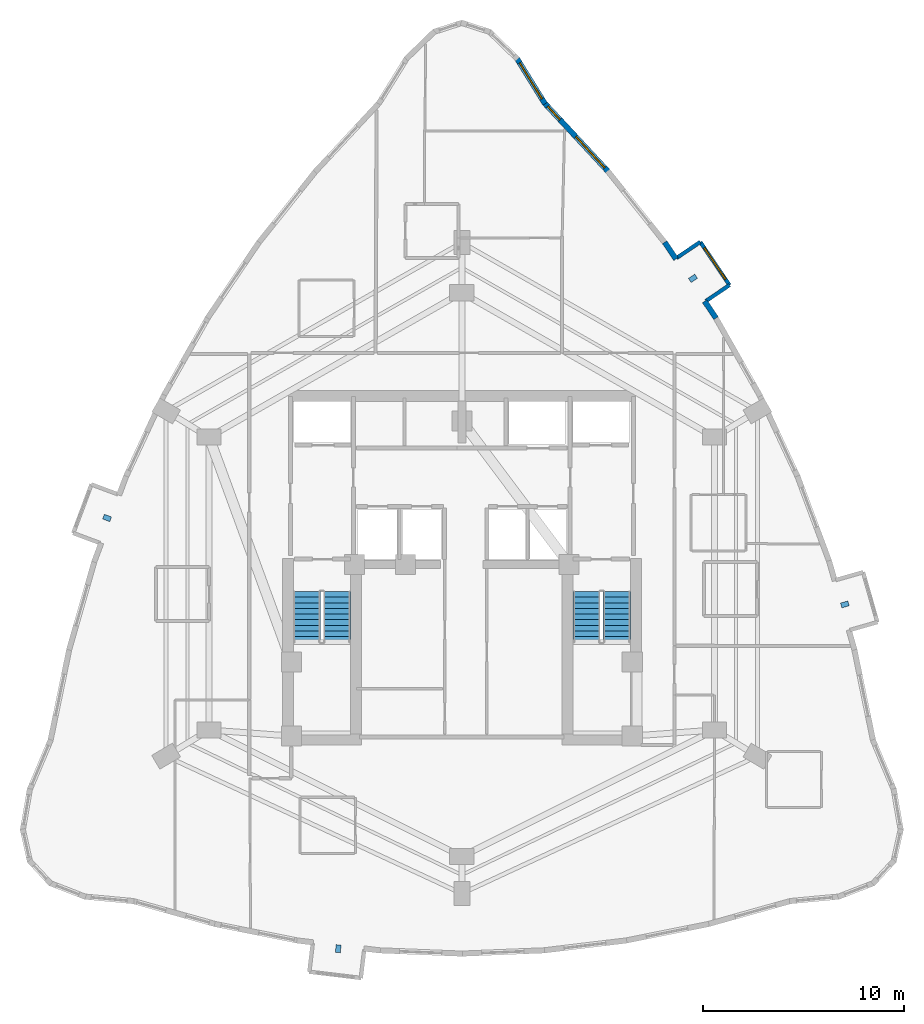
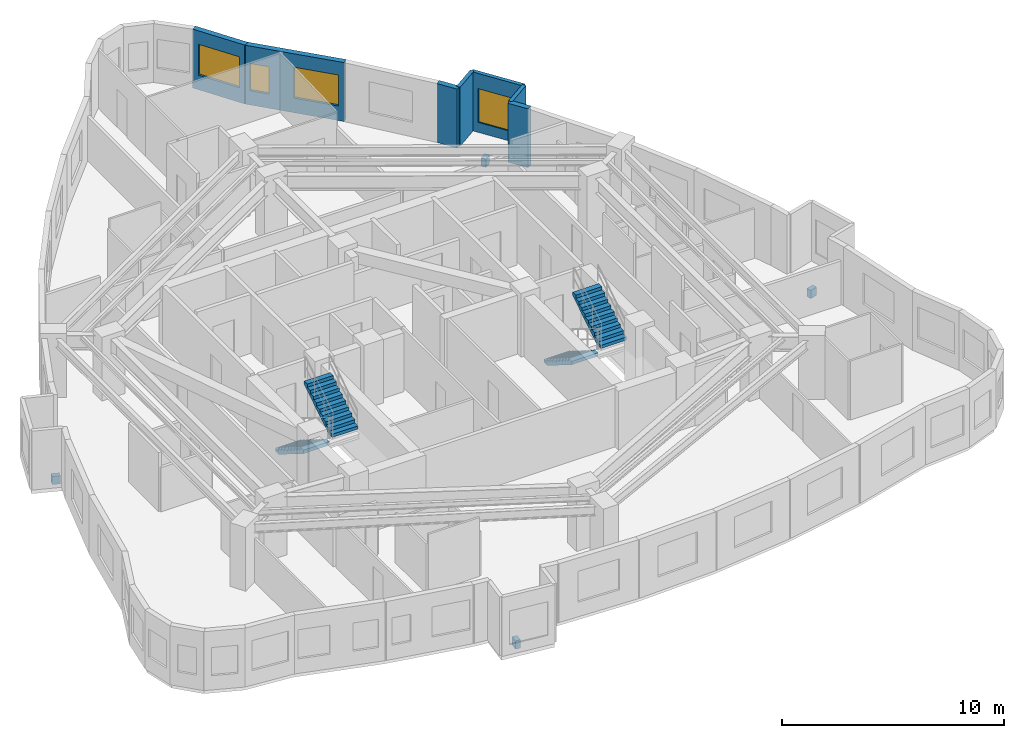
# One storey, part 9 of 10: 7 walls, 4 discrete accessories, 4 stair flights, 4 windows, 4 openings, 2 elements without a shape of their own.
"""IFC4 building model written with IfcOpenShell, lengths in metres."""

from ifc_helpers import new_model, si_unit, direction, frame, frame_2d, origin, origin_2d, place, context, subcontext, project, spatial, polyline, rectangle, outline, extrude, material, layer, layer_set, type_object, element, fill, aggregate, save


model = new_model("IFC4")

# Units and contexts
model_context = context("Model", 3, precision=1e-05, world=origin(), true_north=direction((0.0, 1.0)))
body_context = subcontext(model_context, "Body", "Model", "MODEL_VIEW")
ifc_project = project(units=[si_unit("LENGTHUNIT", "METRE"), si_unit("AREAUNIT", "SQUARE_METRE"), si_unit("VOLUMEUNIT", "CUBIC_METRE"), si_unit("PLANEANGLEUNIT", "RADIAN"), si_unit("MASSUNIT", "GRAM", prefix="KILO")], contexts=[model_context])

# Site, building, storey
site_placement = place(None, origin())
site = spatial("IfcSite", under=ifc_project, at=site_placement, CompositionType="ELEMENT")
building_placement = place(site_placement, origin())
building = spatial("IfcBuilding", under=site, at=building_placement, Name="Miruveldt Soraemaru", CompositionType="ELEMENT")
storey_placement = place(building_placement, frame((0.0, 0.0, 121.39990234375)))
storey = spatial("IfcBuildingStorey", under=building, at=storey_placement, Name="L33", CompositionType="ELEMENT", Elevation=121.39990234375)

# Walls
ifc_material_1 = material(Name="White powder-coated aluminium EN AW-6060 T6", Category="aluminium")
ifc_layer_1 = layer(ifc_material_1, 0.18994140625, Name="White powder-coated aluminium EN AW-6060 T6", Category="aluminium")
ifc_layer_set_1 = layer_set([ifc_layer_1], Name="White powder-coated aluminium EN AW-6060 T6")
wall_type_1 = type_object("IfcWallType", Name="WALL-BAY-ALU190", PredefinedType="SOLIDWALL", material=ifc_layer_set_1)
for number, where, z_axis, x_axis, name in (
    (1, (56.168701171875, 57.18310546875, 0.0), (0.0, 0.0, 1.0), (0.827862228344, 0.560931485016, 0.0), "L33 Bay Window Side Cheek 4L"),
    (2, (55.890380859375, 60.135009765625, 0.0), (0.0, 0.0, 1.0), (-0.827862228344, -0.560931485016, 0.0), "L33 Bay Window Side Cheek 4R"),
):
    element("IfcWall", number, at=place(storey_placement, frame(where, z_axis=z_axis, x_axis=x_axis)), inside=storey, type_object=wall_type_1, Name=name, PredefinedType="SOLIDWALL", context=body_context, shape_type="SweptSolid", body=[
        extrude(rectangle(XDim=1.425048828125, YDim=0.18994140625, at=frame_2d((0.71240234375, 0.0))), origin(), (0.0, 0.0, 1.0), 3.235107421875),
    ])

# Wall, opening, window
wall_1_placement = place(storey_placement, frame((57.348388671875, 57.982421875, 0.0), z_axis=(0.0, 0.0, 1.0), x_axis=(-0.560796235507, 0.827953852724, 0.0)))
wall_1 = element("IfcWall", 3, at=wall_1_placement, inside=storey, type_object=wall_type_1, Name="L33 Bay Window Front Frame 4", PredefinedType="SOLIDWALL", context=body_context, shape_type="SweptSolid", body=[
    extrude(rectangle(XDim=2.599853515625, YDim=0.18994140625, at=frame_2d((1.2998046875, 0.0))), origin(), (0.0, 0.0, 1.0), 3.235107421875),
])
opening_1_placement = place(wall_1_placement, frame((0.35009765625, 0.0, 0.550048828125)))
opening_1 = element("IfcOpeningElement", 4, at=opening_1_placement, cuts=wall_1, Name="Opening WN-6", PredefinedType="OPENING", context=body_context, shape_type="SweptSolid", body=[
    extrude(rectangle(XDim=1.89990234375, YDim=1.85009765625, at=frame_2d((0.949951171875, 0.925048828125))), frame((0.0, 0.10498046875, 0.0), z_axis=(0.0, -1.0, 0.0), x_axis=(1.0, 0.0, 0.0)), (0.0, 0.0, 1.0), 0.2099609375),
])
ifc_material_2 = material(Name="Triple low-e insulated glazing", Category="glass")
window_type_1 = type_object("IfcWindowType", Name="WIN-BAYW-1900x1850", PartitioningType="SINGLE_PANEL", PredefinedType="WINDOW", material=ifc_material_2)
window_1_placement = place(opening_1_placement, origin())
window_1 = element("IfcWindow", 5, at=window_1_placement, inside=storey, type_object=window_type_1, Name="L33 Projecting Bay Window 4", OverallHeight=1.85009765625, OverallWidth=1.89990234375, PartitioningType="SINGLE_PANEL", PredefinedType="WINDOW", context=body_context, shape_type="SweptSolid", body=[
    extrude(rectangle(XDim=1.89990234375, YDim=1.85009765625, at=frame_2d((0.949951171875, 0.925048828125))), frame((0.0, 0.030029296875, 0.0), z_axis=(0.0, -1.0, 0.0), x_axis=(1.0, 0.0, 0.0)), (0.0, 0.0, 1.0), 0.06005859375),
])
fill(opening_1, window_1)

ifc_material_3 = material(Name="Precast concrete C45/55 (45 MPa)", Category="concrete")
ifc_layer_2 = layer(ifc_material_3, 0.27001953125, Name="Precast concrete C45/55 (45 MPa)", Category="concrete")
ifc_layer_set_2 = layer_set([ifc_layer_2], Name="Precast concrete C45/55 (45 MPa)")
wall_type_2 = type_object("IfcWallType", Name="WALL-EXT-PC270", PredefinedType="SOLIDWALL", material=ifc_layer_set_2)
wall_2_placement = place(storey_placement, frame((48.150634765625, 67.02099609375, 0.0), z_axis=(0.0, 0.0, 1.0), x_axis=(-0.526066967344, 0.850443146759, 0.0)))
wall_2 = element("IfcWall", 6, at=wall_2_placement, inside=storey, type_object=wall_type_2, Name="L33 Precast Concrete Facade Wall 1", PredefinedType="SOLIDWALL", context=body_context, shape_type="SweptSolid", body=[
    extrude(rectangle(XDim=2.6884765625, YDim=0.27001953125, at=frame_2d((1.34423828125, 0.0))), origin(), (0.0, 0.0, 1.0), 3.235107421875),
])
opening_2_placement = place(wall_2_placement, frame((0.2939453125, 0.0, 0.800048828125)))
opening_2 = element("IfcOpeningElement", 7, at=opening_2_placement, cuts=wall_2, Name="Opening WN-1", PredefinedType="OPENING", context=body_context, shape_type="SweptSolid", body=[
    extrude(rectangle(XDim=2.10009765625, YDim=1.699951171875, at=frame_2d((1.050048828125, 0.85009765625))), frame((0.0, 0.14501953125, 0.0), z_axis=(0.0, -1.0, 0.0), x_axis=(1.0, 0.0, 0.0)), (0.0, 0.0, 1.0), 0.2900390625),
])
window_type_2 = type_object("IfcWindowType", Name="WIN-PUNCH-2100x1700", PartitioningType="SINGLE_PANEL", PredefinedType="WINDOW", material=ifc_material_2)
window_2_placement = place(opening_2_placement, origin())
window_2 = element("IfcWindow", 8, at=window_2_placement, inside=storey, type_object=window_type_2, Name="L33 Punched Triple-Glazed Window 01.1", OverallHeight=1.699951171875, OverallWidth=2.10009765625, PartitioningType="SINGLE_PANEL", PredefinedType="WINDOW", context=body_context, shape_type="SweptSolid", body=[
    extrude(rectangle(XDim=2.10009765625, YDim=1.699951171875, at=frame_2d((1.050048828125, 0.85009765625))), frame((0.0, 0.030029296875, 0.0), z_axis=(0.0, -1.0, 0.0), x_axis=(1.0, 0.0, 0.0)), (0.0, 0.0, 1.0), 0.06005859375),
])
fill(opening_2, window_2)

# Walls
for number, where, z_axis, x_axis, name in (
    (9, (56.675537109375, 56.3369140625, 0.0), (0.0, 0.0, 1.0), (-0.56084814517, 0.827918690488, 0.0), "L33 Precast Pier Wall 40A"),
    (10, (54.681884765625, 59.2802734375, 0.0), (0.0, 0.0, 1.0), (-0.56084814517, 0.827918690488, 0.0), "L33 Precast Pier Wall 40B"),
):
    element("IfcWall", number, at=place(storey_placement, frame(where, z_axis=z_axis, x_axis=x_axis)), inside=storey, type_object=wall_type_2, Name=name, PredefinedType="SOLIDWALL", context=body_context, shape_type="SweptSolid", body=[
        extrude(rectangle(XDim=1.0146484375, YDim=0.27001953125, at=frame_2d((0.50732421875, 0.0))), origin(), (0.0, 0.0, 1.0), 3.235107421875),
    ])

# Wall, openings, windows
wall_3_placement = place(storey_placement, frame((51.31494140625, 63.627197265625, 0.0), z_axis=(0.0, 0.0, 1.0), x_axis=(-0.680872527791, 0.732401939442, 0.0)))
wall_3 = element("IfcWall", 11, at=wall_3_placement, inside=storey, type_object=wall_type_2, Name="L33 Precast Concrete Facade Wall 42", PredefinedType="SOLIDWALL", context=body_context, shape_type="SweptSolid", body=[
    extrude(rectangle(XDim=4.70947265625, YDim=0.27001953125, at=frame_2d((2.354736328125, 0.0))), origin(), (0.0, 0.0, 1.0), 3.235107421875),
])
opening_3_placement = place(wall_3_placement, frame((0.281982421875, 0.0, 0.800048828125)))
opening_3 = element("IfcOpeningElement", 12, at=opening_3_placement, cuts=wall_3, Name="Opening WN-1", PredefinedType="OPENING", context=body_context, shape_type="SweptSolid", body=[
    extrude(rectangle(XDim=2.10009765625, YDim=1.699951171875, at=frame_2d((1.050048828125, 0.85009765625))), frame((0.0, 0.14501953125, 0.0), z_axis=(0.0, -1.0, 0.0), x_axis=(1.0, 0.0, 0.0)), (0.0, 0.0, 1.0), 0.2900390625),
])
opening_4_placement = place(wall_3_placement, frame((3.553955078125, 0.0, 0.780029296875)))
opening_4 = element("IfcOpeningElement", 13, at=opening_4_placement, cuts=wall_3, Name="Opening WN-7", PredefinedType="OPENING", context=body_context, shape_type="SweptSolid", body=[
    extrude(rectangle(XDim=0.89990234375, YDim=1.5, at=frame_2d((0.449951171875, 0.75))), frame((0.0, 0.14501953125, 0.0), z_axis=(0.0, -1.0, 0.0), x_axis=(1.0, 0.0, 0.0)), (0.0, 0.0, 1.0), 0.2900390625),
])
window_3_placement = place(opening_3_placement, origin())
window_3 = element("IfcWindow", 14, at=window_3_placement, inside=storey, type_object=window_type_2, Name="L33 Punched Triple-Glazed Window 42.1", OverallHeight=1.699951171875, OverallWidth=2.10009765625, PartitioningType="SINGLE_PANEL", PredefinedType="WINDOW", context=body_context, shape_type="SweptSolid", body=[
    extrude(rectangle(XDim=2.10009765625, YDim=1.699951171875, at=frame_2d((1.050048828125, 0.85009765625))), frame((0.0, 0.030029296875, 0.0), z_axis=(0.0, -1.0, 0.0), x_axis=(1.0, 0.0, 0.0)), (0.0, 0.0, 1.0), 0.06005859375),
])
fill(opening_3, window_3)
window_type_3 = type_object("IfcWindowType", Name="WIN-PUNCH-900x1500", PartitioningType="SINGLE_PANEL", PredefinedType="WINDOW", material=ifc_material_2)
window_4_placement = place(opening_4_placement, origin())
window_4 = element("IfcWindow", 15, at=window_4_placement, inside=storey, type_object=window_type_3, Name="L33 Punched Triple-Glazed Window 42.2", OverallHeight=1.5, OverallWidth=0.89990234375, PartitioningType="SINGLE_PANEL", PredefinedType="WINDOW", context=body_context, shape_type="SweptSolid", body=[
    extrude(rectangle(XDim=0.89990234375, YDim=1.5, at=frame_2d((0.449951171875, 0.75))), frame((0.0, 0.030029296875, 0.0), z_axis=(0.0, -1.0, 0.0), x_axis=(1.0, 0.0, 0.0)), (0.0, 0.0, 1.0), 0.06005859375),
])
fill(opening_4, window_4)

# Stair, stair flights
ifc_material_4 = material(Name="Concrete C40/50 (40 MPa)", Category="concrete")
stair_type = type_object("IfcStairType", Name="STAIR-DL-350", PredefinedType="HALF_TURN_STAIR", material=ifc_material_4)
stair_1_placement = place(storey_placement, origin())
stair_1 = element("IfcStair", 16, at=stair_1_placement, inside=storey, type_object=stair_type, Name="L33 Protected Exit Stair ST-1", PredefinedType="HALF_TURN_STAIR")
stair_flight_type = type_object("IfcStairFlightType", Name="SFL-DL-350", PredefinedType="STRAIGHT", material=ifc_material_4)
stair_flight_1_placement = place(storey_placement, frame((36.27490234375, 42.699951171875, 0.0), z_axis=(0.0, 0.0, 1.0), x_axis=(0.0, -1.0, 0.0)))
stair_flight_1 = element("IfcStairFlight", 17, at=stair_flight_1_placement, type_object=stair_flight_type, Name="ST-1 flight 1", NumberOfRisers=10, NumberOfTreads=9, PredefinedType="STRAIGHT", RiserHeight=0.175, TreadLength=0.28, context=body_context, shape_type="SweptSolid", body=[
    extrude(outline(polyline([(0.0, 0.0), (0.0, 0.175048828125), (0.280029296875, 0.175048828125), (0.280029296875, 0.35009765625), (0.56005859375, 0.35009765625), (0.56005859375, 0.52490234375), (0.840087890625, 0.52490234375), (0.840087890625, 0.699951171875), (1.1201171875, 0.699951171875), (1.1201171875, 0.875), (1.39990234375, 0.875), (1.39990234375, 1.050048828125), (1.679931640625, 1.050048828125), (1.679931640625, 1.22509765625), (1.9599609375, 1.22509765625), (1.9599609375, 1.39990234375), (2.239990234375, 1.39990234375), (2.239990234375, 1.574951171875), (2.52001953125, 1.574951171875), (2.52001953125, 1.75), (2.52001953125, 1.386474609375), (0.3017578125, 0.0), (0.0, 0.0)])), frame((0.0, 0.675048828125, 0.0), z_axis=(0.0, -1.0, 0.0), x_axis=(1.0, 0.0, 0.0)), (0.0, 0.0, 1.0), 1.35009765625),
])
stair_flight_2_placement = place(storey_placement, frame((37.77490234375, 40.179931640625, 1.75), z_axis=(0.0, 0.0, 1.0), x_axis=(0.0, 1.0, 0.0)))
stair_flight_2 = element("IfcStairFlight", 18, at=stair_flight_2_placement, type_object=stair_flight_type, Name="ST-1 flight 2", NumberOfRisers=10, NumberOfTreads=9, PredefinedType="STRAIGHT", RiserHeight=0.175, TreadLength=0.28, context=body_context, shape_type="SweptSolid", body=[
    extrude(outline(polyline([(0.0, 0.0), (0.0, 0.175048828125), (0.280029296875, 0.175048828125), (0.280029296875, 0.35009765625), (0.56005859375, 0.35009765625), (0.56005859375, 0.52490234375), (0.840087890625, 0.52490234375), (0.840087890625, 0.699951171875), (1.1201171875, 0.699951171875), (1.1201171875, 0.875), (1.39990234375, 0.875), (1.39990234375, 1.050048828125), (1.679931640625, 1.050048828125), (1.679931640625, 1.22509765625), (1.9599609375, 1.22509765625), (1.9599609375, 1.39990234375), (2.239990234375, 1.39990234375), (2.239990234375, 1.574951171875), (2.52001953125, 1.574951171875), (2.52001953125, 1.75), (2.52001953125, 1.386474609375), (0.3017578125, 0.0), (0.0, 0.0)])), frame((0.0, 0.675048828125, 0.0), z_axis=(0.0, -1.0, 0.0), x_axis=(1.0, 0.0, 0.0)), (0.0, 0.0, 1.0), 1.35009765625),
])
aggregate(stair_1, [stair_flight_1, stair_flight_2])

stair_2_placement = place(storey_placement, origin())
stair_2 = element("IfcStair", 19, at=stair_2_placement, inside=storey, type_object=stair_type, Name="L33 Protected Exit Stair ST-2", PredefinedType="HALF_TURN_STAIR")
stair_flight_3_placement = place(storey_placement, frame((50.22509765625, 42.699951171875, 0.0), z_axis=(0.0, 0.0, 1.0), x_axis=(0.0, -1.0, 0.0)))
stair_flight_3 = element("IfcStairFlight", 20, at=stair_flight_3_placement, type_object=stair_flight_type, Name="ST-2 flight 1", NumberOfRisers=10, NumberOfTreads=9, PredefinedType="STRAIGHT", RiserHeight=0.175, TreadLength=0.28, context=body_context, shape_type="SweptSolid", body=[
    extrude(outline(polyline([(0.0, 0.0), (0.0, 0.175048828125), (0.280029296875, 0.175048828125), (0.280029296875, 0.35009765625), (0.56005859375, 0.35009765625), (0.56005859375, 0.52490234375), (0.840087890625, 0.52490234375), (0.840087890625, 0.699951171875), (1.1201171875, 0.699951171875), (1.1201171875, 0.875), (1.39990234375, 0.875), (1.39990234375, 1.050048828125), (1.679931640625, 1.050048828125), (1.679931640625, 1.22509765625), (1.9599609375, 1.22509765625), (1.9599609375, 1.39990234375), (2.239990234375, 1.39990234375), (2.239990234375, 1.574951171875), (2.52001953125, 1.574951171875), (2.52001953125, 1.75), (2.52001953125, 1.386474609375), (0.3017578125, 0.0), (0.0, 0.0)])), frame((0.0, 0.675048828125, 0.0), z_axis=(0.0, -1.0, 0.0), x_axis=(1.0, 0.0, 0.0)), (0.0, 0.0, 1.0), 1.35009765625),
])
stair_flight_4_placement = place(storey_placement, frame((51.72509765625, 40.179931640625, 1.75), z_axis=(0.0, 0.0, 1.0), x_axis=(0.0, 1.0, 0.0)))
stair_flight_4 = element("IfcStairFlight", 21, at=stair_flight_4_placement, type_object=stair_flight_type, Name="ST-2 flight 2", NumberOfRisers=10, NumberOfTreads=9, PredefinedType="STRAIGHT", RiserHeight=0.175, TreadLength=0.28, context=body_context, shape_type="SweptSolid", body=[
    extrude(outline(polyline([(0.0, 0.0), (0.0, 0.175048828125), (0.280029296875, 0.175048828125), (0.280029296875, 0.35009765625), (0.56005859375, 0.35009765625), (0.56005859375, 0.52490234375), (0.840087890625, 0.52490234375), (0.840087890625, 0.699951171875), (1.1201171875, 0.699951171875), (1.1201171875, 0.875), (1.39990234375, 0.875), (1.39990234375, 1.050048828125), (1.679931640625, 1.050048828125), (1.679931640625, 1.22509765625), (1.9599609375, 1.22509765625), (1.9599609375, 1.39990234375), (2.239990234375, 1.39990234375), (2.239990234375, 1.574951171875), (2.52001953125, 1.574951171875), (2.52001953125, 1.75), (2.52001953125, 1.386474609375), (0.3017578125, 0.0), (0.0, 0.0)])), frame((0.0, 0.675048828125, 0.0), z_axis=(0.0, -1.0, 0.0), x_axis=(1.0, 0.0, 0.0)), (0.0, 0.0, 1.0), 1.35009765625),
])
aggregate(stair_2, [stair_flight_3, stair_flight_4])

# Discrete accessories
ifc_material_5 = material(Name="Steel SM355 (355 MPa)", Category="steel")
discrete_accessory_type = type_object("IfcDiscreteAccessoryType", Name="ACC-BAY-BRK", PredefinedType="BRACKET", material=ifc_material_5)
for number, where, z_axis, x_axis, name in (
    (22, (26.314697265625, 46.371337890625, -0.7099609375), (0.0, 0.0, 1.0), (-0.93711153314, 0.349030048069, 0.0), "L33 Bay Window Cantilever Bracket 1"),
    (23, (37.83984375, 24.89697265625, -0.7099609375), (0.0, 0.0, 1.0), (-0.119149147143, -0.992876367296, 0.0), "L33 Bay Window Cantilever Bracket 2"),
    (24, (63.1005859375, 42.06103515625, -0.7099609375), (0.0, 0.0, 1.0), (0.961453892845, 0.274966201438, 0.0), "L33 Bay Window Cantilever Bracket 3"),
    (25, (55.526611328125, 58.318359375, -0.7099609375), (0.0, 0.0, 1.0), (0.827923319955, 0.560841311134, 0.0), "L33 Bay Window Cantilever Bracket 4"),
):
    element("IfcDiscreteAccessory", number, at=place(storey_placement, frame(where, z_axis=z_axis, x_axis=x_axis)), inside=storey, type_object=discrete_accessory_type, Name=name, PredefinedType="BRACKET", context=body_context, shape_type="SweptSolid", body=[
        extrude(rectangle(XDim=0.3798828125, YDim=0.25, at=origin_2d()), origin(), (0.0, 0.0, 1.0), 0.449951171875),
    ])

save(model, "model.ifc")
